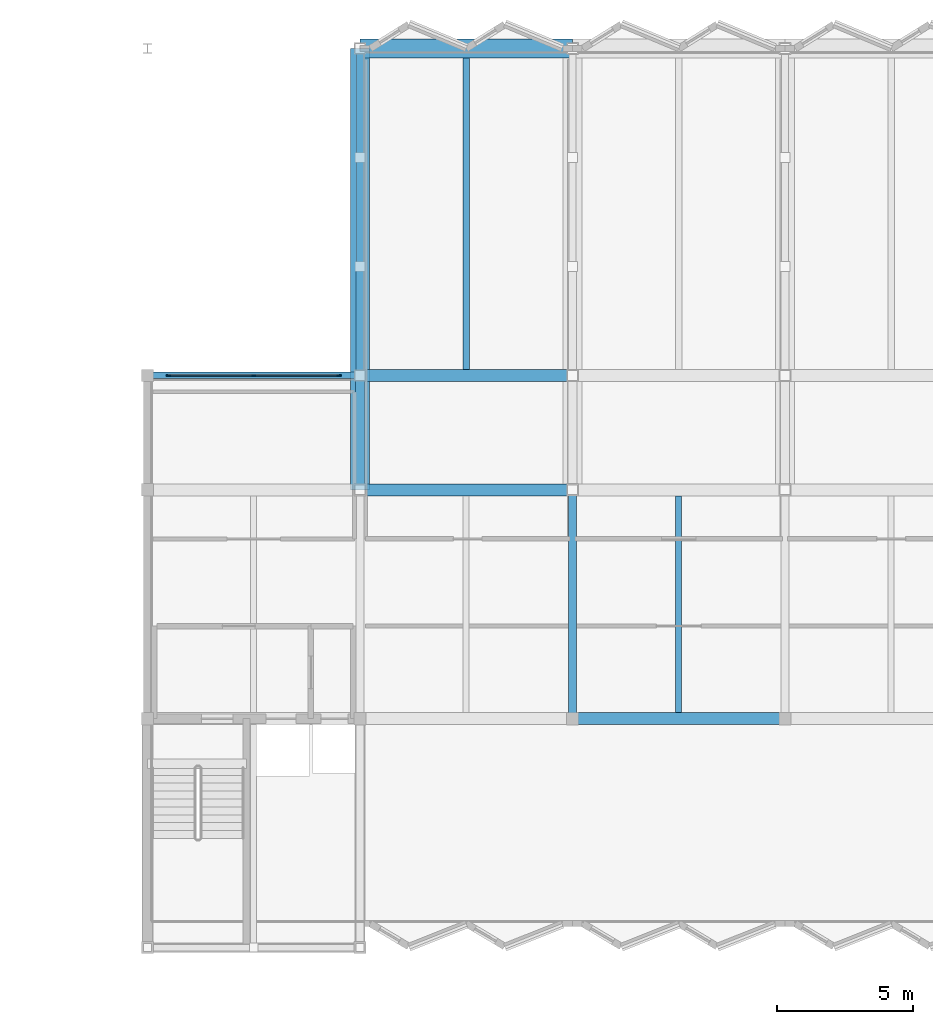
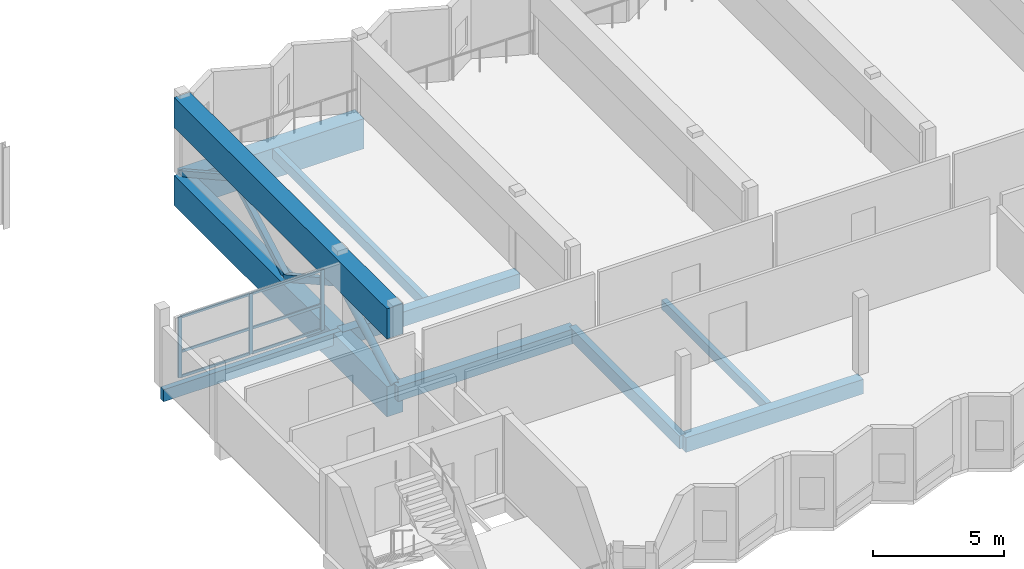
# One storey, part 18 of 34: 13 members, 10 beams, 1 element without a shape of its own.
"""IFC4 building model written with IfcOpenShell, lengths in metres."""

from ifc_helpers import new_model, si_unit, direction, frame, origin, origin_2d, place, context, subcontext, project, spatial, rectangle, hollow_rectangle, hollow_circle, extrude, material, material_profile, profile_set, type_object, element, aggregate, save


model = new_model("IFC4")

# Units and contexts
model_context = context("Model", 3, precision=1e-05, world=origin(), true_north=direction((0.0, 1.0)))
body_context = subcontext(model_context, "Body", "Model", "MODEL_VIEW")
ifc_project = project(units=[si_unit("LENGTHUNIT", "METRE"), si_unit("AREAUNIT", "SQUARE_METRE"), si_unit("VOLUMEUNIT", "CUBIC_METRE"), si_unit("PLANEANGLEUNIT", "RADIAN"), si_unit("MASSUNIT", "GRAM", prefix="KILO")], contexts=[model_context])

# Site, building, storey
site_placement = place(None, origin())
site = spatial("IfcSite", under=ifc_project, at=site_placement, CompositionType="ELEMENT")
building_placement = place(site_placement, origin())
building = spatial("IfcBuilding", under=site, at=building_placement, Name="Vharandega Faculty of Natural Sciences", CompositionType="ELEMENT")
storey_placement = place(building_placement, frame((0.0, 0.0, 21.60009765625)))
storey = spatial("IfcBuildingStorey", under=building, at=storey_placement, Name="L05", CompositionType="ELEMENT", Elevation=21.60009765625)

# Curtain wall, members
ifc_material_1 = material(Name="Aluminium and solar-control glass curtain wall", Category="aluminium")
curtain_wall_type = type_object("IfcCurtainWallType", Name="Unitised Curtain Wall System CW-27", PredefinedType="NOTDEFINED", material=ifc_material_1)
curtain_wall_placement = place(storey_placement, origin())
curtain_wall = element("IfcCurtainWall", 1, at=curtain_wall_placement, inside=storey, type_object=curtain_wall_type, Name="Curtain Wall CW-L05-026", PredefinedType="NOTDEFINED")
ifc_material_2 = material(Name="Thermally broken aluminium 6063-T6", Category="aluminium")
ifc_material_profile_1 = material_profile(ifc_material_2, rectangle(XDim=0.06005859375, YDim=0.159912109375, at=origin_2d()), Name="ALU 60x160")
ifc_profile_set_1 = profile_set([ifc_material_profile_1], Name="Thermally broken aluminium 6063-T6")
member_type_1 = type_object("IfcMemberType", Name="CW Mullion 60x160", PredefinedType="MULLION", material=ifc_profile_set_1)
member_1_placement = place(storey_placement, frame((115.570068359375, 85.0, 0.0), z_axis=(0.0, 0.0, 1.0), x_axis=(0.0, 1.0, 0.0)))
member_1 = element("IfcMember", 2, at=member_1_placement, type_object=member_type_1, Name="CW-27 mullion 1", PredefinedType="MULLION", context=body_context, shape_type="SweptSolid", body=[
    extrude(rectangle(XDim=0.06005859375, YDim=0.159912109375, at=origin_2d()), origin(), (0.0, 0.0, 1.0), 2.81982421875),
])
member_2_placement = place(storey_placement, frame((118.699951171875, 85.0, 0.0), z_axis=(0.0, 0.0, 1.0), x_axis=(0.0, 1.0, 0.0)))
member_2 = element("IfcMember", 3, at=member_2_placement, type_object=member_type_1, Name="CW-27 mullion 2", PredefinedType="MULLION", context=body_context, shape_type="SweptSolid", body=[
    extrude(rectangle(XDim=0.06005859375, YDim=0.159912109375, at=origin_2d()), origin(), (0.0, 0.0, 1.0), 2.81982421875),
])
member_3_placement = place(storey_placement, frame((121.830078125, 85.0, 0.0), z_axis=(0.0, 0.0, 1.0), x_axis=(0.0, 1.0, 0.0)))
member_3 = element("IfcMember", 4, at=member_3_placement, type_object=member_type_1, Name="CW-27 mullion 3", PredefinedType="MULLION", context=body_context, shape_type="SweptSolid", body=[
    extrude(rectangle(XDim=0.06005859375, YDim=0.159912109375, at=origin_2d()), origin(), (0.0, 0.0, 1.0), 2.81982421875),
])
ifc_material_3 = material(Name="Thermally broken aluminium 6063-T6", Category="aluminium")
ifc_material_profile_2 = material_profile(ifc_material_3, rectangle(XDim=0.06005859375, YDim=0.1201171875, at=origin_2d()), Name="ALU 60x120")
ifc_profile_set_2 = profile_set([ifc_material_profile_2], Name="Thermally broken aluminium 6063-T6")
member_type_2 = type_object("IfcMemberType", Name="CW Transom 60x120", PredefinedType="USERDEFINED", material=ifc_profile_set_2)
member_4_placement = place(storey_placement, frame((115.60009765625, 85.0, 0.02978515625), z_axis=(1.0, 0.0, 0.0), x_axis=(0.0, 1.0, 0.0)))
member_4 = element("IfcMember", 5, at=member_4_placement, type_object=member_type_2, Name="CW-27 transom 1.1", ObjectType="TRANSOM", PredefinedType="USERDEFINED", context=body_context, shape_type="SweptSolid", body=[
    extrude(rectangle(XDim=0.06005859375, YDim=0.1201171875, at=origin_2d()), origin(), (0.0, 0.0, 1.0), 3.06982421875),
])
member_5_placement = place(storey_placement, frame((115.60009765625, 85.0, 1.184326171875), z_axis=(1.0, 0.0, 0.0), x_axis=(0.0, 1.0, 0.0)))
member_5 = element("IfcMember", 6, at=member_5_placement, type_object=member_type_2, Name="CW-27 transom 1.2", ObjectType="TRANSOM", PredefinedType="USERDEFINED", context=body_context, shape_type="SweptSolid", body=[
    extrude(rectangle(XDim=0.06005859375, YDim=0.1201171875, at=origin_2d()), origin(), (0.0, 0.0, 1.0), 3.06982421875),
])
member_6_placement = place(storey_placement, frame((115.60009765625, 85.0, 2.789794921875), z_axis=(1.0, 0.0, 0.0), x_axis=(0.0, 1.0, 0.0)))
member_6 = element("IfcMember", 7, at=member_6_placement, type_object=member_type_2, Name="CW-27 transom 1.3", ObjectType="TRANSOM", PredefinedType="USERDEFINED", context=body_context, shape_type="SweptSolid", body=[
    extrude(rectangle(XDim=0.06005859375, YDim=0.1201171875, at=origin_2d()), origin(), (0.0, 0.0, 1.0), 3.06982421875),
])
member_7_placement = place(storey_placement, frame((118.72998046875, 85.0, 0.02978515625), z_axis=(1.0, 0.0, 0.0), x_axis=(0.0, 1.0, 0.0)))
member_7 = element("IfcMember", 8, at=member_7_placement, type_object=member_type_2, Name="CW-27 transom 2.1", ObjectType="TRANSOM", PredefinedType="USERDEFINED", context=body_context, shape_type="SweptSolid", body=[
    extrude(rectangle(XDim=0.06005859375, YDim=0.1201171875, at=origin_2d()), origin(), (0.0, 0.0, 1.0), 3.070068359375),
])
member_8_placement = place(storey_placement, frame((118.72998046875, 85.0, 1.184326171875), z_axis=(1.0, 0.0, 0.0), x_axis=(0.0, 1.0, 0.0)))
member_8 = element("IfcMember", 9, at=member_8_placement, type_object=member_type_2, Name="CW-27 transom 2.2", ObjectType="TRANSOM", PredefinedType="USERDEFINED", context=body_context, shape_type="SweptSolid", body=[
    extrude(rectangle(XDim=0.06005859375, YDim=0.1201171875, at=origin_2d()), origin(), (0.0, 0.0, 1.0), 3.070068359375),
])
member_9_placement = place(storey_placement, frame((118.72998046875, 85.0, 2.789794921875), z_axis=(1.0, 0.0, 0.0), x_axis=(0.0, 1.0, 0.0)))
member_9 = element("IfcMember", 10, at=member_9_placement, type_object=member_type_2, Name="CW-27 transom 2.3", ObjectType="TRANSOM", PredefinedType="USERDEFINED", context=body_context, shape_type="SweptSolid", body=[
    extrude(rectangle(XDim=0.06005859375, YDim=0.1201171875, at=origin_2d()), origin(), (0.0, 0.0, 1.0), 3.070068359375),
])
aggregate(curtain_wall, [member_1, member_2, member_3, member_4, member_5, member_6, member_7, member_8, member_9])

# Beam
ifc_material_4 = material(Name="Glulam GL32h", Category="wood")
ifc_material_profile_3 = material_profile(ifc_material_4, rectangle(XDim=0.699951171875, YDim=1.39990234375, at=origin_2d()), Name="GL32h 700x1400")
ifc_profile_set_3 = profile_set([ifc_material_profile_3], Name="Glulam GL32h")
beam_type_1 = type_object("IfcBeamType", Name="Cantilever Truss Bottom Chord 700x1400", PredefinedType="BEAM", material=ifc_profile_set_3)
beam_1_placement = place(storey_placement, frame((122.60009765625, 80.800048828125, -0.940185546875), z_axis=(0.0, 1.0, 0.0), x_axis=(-1.0, 0.0, 0.0)))
element("IfcBeam", 11, at=beam_1_placement, inside=storey, type_object=beam_type_1, Name="Transfer Cantilever Bottom Chord Grid 16", PredefinedType="BEAM", context=body_context, shape_type="SweptSolid", body=[
    extrude(rectangle(XDim=0.699951171875, YDim=1.39990234375, at=origin_2d()), origin(), (0.0, 0.0, 1.0), 16.199951171875),
])

# Member
ifc_material_5 = material(Name="Steel S355", Category="steel")
ifc_material_profile_4 = material_profile(ifc_material_5, hollow_circle(Radius=0.161865234375, WallThickness=0.01611328125, at=origin_2d()), Name="CHS 323.9x16")
ifc_profile_set_4 = profile_set([ifc_material_profile_4], Name="Steel S355")
member_type_3 = type_object("IfcMemberType", Name="Cantilever Truss Diagonal CHS 324", PredefinedType="BRACE", material=ifc_profile_set_4)
member_10_placement = place(storey_placement, frame((122.60009765625, 80.800048828125, -0.239990234375), z_axis=(0.0, 0.884095243613, 0.467306751739), x_axis=(-1.0, 0.0, 0.0)))
element("IfcMember", 12, at=member_10_placement, inside=storey, type_object=member_type_3, Name="Cantilever Truss Diagonal 16-1", PredefinedType="BRACE", context=body_context, shape_type="SweptSolid", body=[
    extrude(hollow_circle(Radius=0.161865234375, WallThickness=0.01611328125, at=origin_2d()), origin(), (0.0, 0.0, 1.0), 4.75048828125),
])

# Beam
ifc_material_6 = material(Name="Glulam GL32h", Category="wood")
ifc_material_profile_5 = material_profile(ifc_material_6, rectangle(XDim=0.699951171875, YDim=1.39990234375, at=origin_2d()), Name="GL32h 700x1400")
ifc_profile_set_5 = profile_set([ifc_material_profile_5], Name="Glulam GL32h")
beam_type_2 = type_object("IfcBeamType", Name="Cantilever Truss Top Chord 700x1400", PredefinedType="BEAM", material=ifc_profile_set_5)
beam_2_placement = place(storey_placement, frame((122.60009765625, 80.800048828125, 2.679931640625), z_axis=(0.0, 1.0, 0.0), x_axis=(-1.0, 0.0, 0.0)))
element("IfcBeam", 13, at=beam_2_placement, inside=storey, type_object=beam_type_2, Name="Transfer Cantilever Top Chord Grid 16", PredefinedType="BEAM", context=body_context, shape_type="SweptSolid", body=[
    extrude(rectangle(XDim=0.699951171875, YDim=1.39990234375, at=origin_2d()), origin(), (0.0, 0.0, 1.0), 16.199951171875),
])

# Members
ifc_material_7 = material(Name="Steel S355", Category="steel")
ifc_material_profile_6 = material_profile(ifc_material_7, hollow_rectangle(XDim=0.25, YDim=0.25, WallThickness=0.012451171875, at=origin_2d()), Name="SHS 250x250x12.5")
ifc_profile_set_6 = profile_set([ifc_material_profile_6], Name="Steel S355")
member_type_4 = type_object("IfcMemberType", Name="Cantilever Truss Web SHS 250", PredefinedType="BRACE", material=ifc_profile_set_6)
for number, where, z_axis, x_axis, name in (
    (14, (122.60009765625, 89.0, -0.239990234375), (0.0, 0.874366132347, 0.485266799404), (-1.0, 0.0, 0.0), "Cantilever Truss Diagonal 16-3"),
    (15, (122.60009765625, 93.0, 1.97998046875), (0.0, 0.874366132347, -0.485266799404), (-1.0, 0.0, 0.0), "Cantilever Truss Diagonal 16-4"),
):
    element("IfcMember", number, at=place(storey_placement, frame(where, z_axis=z_axis, x_axis=x_axis)), inside=storey, type_object=member_type_4, Name=name, PredefinedType="BRACE", context=body_context, shape_type="SweptSolid", body=[
        extrude(hollow_rectangle(XDim=0.25, YDim=0.25, WallThickness=0.012451171875, at=origin_2d()), origin(), (0.0, 0.0, 1.0), 4.57470703125),
    ])
ifc_material_8 = material(Name="Steel S355", Category="steel")
ifc_material_profile_7 = material_profile(ifc_material_8, hollow_rectangle(XDim=0.300048828125, YDim=0.300048828125, WallThickness=0.01611328125, at=origin_2d()), Name="SHS 300x300x16")
ifc_profile_set_7 = profile_set([ifc_material_profile_7], Name="Steel S355")
member_type_5 = type_object("IfcMemberType", Name="Cantilever Truss Web SHS 300", PredefinedType="BRACE", material=ifc_profile_set_7)
member_11_placement = place(storey_placement, frame((122.60009765625, 85.0, 1.97998046875), z_axis=(0.0, 0.874366132347, -0.485266799404), x_axis=(-1.0, 0.0, 0.0)))
element("IfcMember", 16, at=member_11_placement, inside=storey, type_object=member_type_5, Name="Cantilever Truss Diagonal 16-2", PredefinedType="BRACE", context=body_context, shape_type="SweptSolid", body=[
    extrude(hollow_rectangle(XDim=0.300048828125, YDim=0.300048828125, WallThickness=0.01611328125, at=origin_2d()), origin(), (0.0, 0.0, 1.0), 4.57470703125),
])

# Beams
ifc_material_9 = material(Name="Glulam GL28h", Category="wood")
ifc_material_profile_8 = material_profile(ifc_material_9, rectangle(XDim=0.300048828125, YDim=0.60009765625, at=origin_2d()), Name="GL28h 300x600")
ifc_profile_set_8 = profile_set([ifc_material_profile_8], Name="Glulam GL28h")
beam_type_3 = type_object("IfcBeamType", Name="Glulam Floor Beam 300x600", PredefinedType="BEAM", material=ifc_profile_set_8)
beam_3_placement = place(storey_placement, frame((130.39990234375, 72.39990234375, -0.5400390625), z_axis=(0.0, 1.0, 0.0), x_axis=(-1.0, 0.0, 0.0)))
element("IfcBeam", 17, at=beam_3_placement, inside=storey, type_object=beam_type_3, Name="Beam L05 17/K-L", PredefinedType="BEAM", context=body_context, shape_type="SweptSolid", body=[
    extrude(rectangle(XDim=0.300048828125, YDim=0.60009765625, at=origin_2d()), origin(), (0.0, 0.0, 1.0), 8.400146484375),
])
ifc_material_10 = material(Name="Glulam GL32h", Category="wood")
ifc_material_profile_9 = material_profile(ifc_material_10, rectangle(XDim=0.43994140625, YDim=0.679931640625, at=origin_2d()), Name="GL32h 440x680")
ifc_profile_set_9 = profile_set([ifc_material_profile_9], Name="Glulam GL32h")
beam_type_4 = type_object("IfcBeamType", Name="Glulam Girder 440x680", PredefinedType="BEAM", material=ifc_profile_set_9)
beam_4_placement = place(storey_placement, frame((130.39990234375, 72.39990234375, -0.580078125), z_axis=(1.0, 0.0, 0.0), x_axis=(0.0, 1.0, 0.0)))
element("IfcBeam", 18, at=beam_4_placement, inside=storey, type_object=beam_type_4, Name="Beam L05 K/17-18", PredefinedType="BEAM", context=body_context, shape_type="SweptSolid", body=[
    extrude(rectangle(XDim=0.43994140625, YDim=0.679931640625, at=origin_2d()), origin(), (0.0, 0.0, 1.0), 7.800048828125),
])
for number, where, z_axis, x_axis, name in (
    (19, (122.60009765625, 80.800048828125, -0.580078125), (1.0, 0.0, 0.0), (0.0, 1.0, 0.0), "Beam L05 L/16-17"),
    (20, (122.60009765625, 85.0, -0.580078125), (1.0, 0.0, 0.0), (0.0, 1.0, 0.0), "Beam L05 M/16-17"),
):
    element("IfcBeam", number, at=place(storey_placement, frame(where, z_axis=z_axis, x_axis=x_axis)), inside=storey, type_object=beam_type_4, Name=name, PredefinedType="BEAM", context=body_context, shape_type="SweptSolid", body=[
        extrude(rectangle(XDim=0.43994140625, YDim=0.679931640625, at=origin_2d()), origin(), (0.0, 0.0, 1.0), 7.7998046875),
    ])
ifc_material_11 = material(Name="Glulam GL28h", Category="wood")
ifc_material_profile_10 = material_profile(ifc_material_11, rectangle(XDim=0.219970703125, YDim=0.43994140625, at=origin_2d()), Name="GL28h 220x440")
ifc_profile_set_10 = profile_set([ifc_material_profile_10], Name="Glulam GL28h")
beam_type_5 = type_object("IfcBeamType", Name="Glulam Secondary Joist 220x440", PredefinedType="JOIST", material=ifc_profile_set_10)
beam_5_placement = place(storey_placement, frame((134.300048828125, 72.6201171875, -0.460205078125), z_axis=(0.0, 1.0, 0.0), x_axis=(-1.0, 0.0, 0.0)))
element("IfcBeam", 21, at=beam_5_placement, inside=storey, type_object=beam_type_5, Name="Secondary Joist L05 17-18/K-L", PredefinedType="JOIST", context=body_context, shape_type="SweptSolid", body=[
    extrude(rectangle(XDim=0.219970703125, YDim=0.43994140625, at=origin_2d()), origin(), (0.0, 0.0, 1.0), 7.9599609375),
])
ifc_material_12 = material(Name="Glulam GL28h", Category="wood")
ifc_material_profile_11 = material_profile(ifc_material_12, rectangle(XDim=0.239990234375, YDim=0.47998046875, at=origin_2d()), Name="GL28h 240x480")
ifc_profile_set_11 = profile_set([ifc_material_profile_11], Name="Glulam GL28h")
beam_type_6 = type_object("IfcBeamType", Name="Glulam Secondary Joist 240x480", PredefinedType="JOIST", material=ifc_profile_set_11)
beam_6_placement = place(storey_placement, frame((126.5, 85.219970703125, -0.47998046875), z_axis=(0.0, 1.0, 0.0), x_axis=(-1.0, 0.0, 0.0)))
element("IfcBeam", 22, at=beam_6_placement, inside=storey, type_object=beam_type_6, Name="Secondary Joist L05 16-17/M-N", PredefinedType="JOIST", context=body_context, shape_type="SweptSolid", body=[
    extrude(rectangle(XDim=0.239990234375, YDim=0.47998046875, at=origin_2d()), origin(), (0.0, 0.0, 1.0), 11.429931640625),
])
ifc_material_13 = material(Name="Glulam GL28h", Category="wood")
ifc_material_profile_12 = material_profile(ifc_material_13, rectangle(XDim=0.239990234375, YDim=0.56005859375, at=origin_2d()), Name="GL28h 240x560")
ifc_profile_set_12 = profile_set([ifc_material_profile_12], Name="Glulam GL28h")
beam_type_7 = type_object("IfcBeamType", Name="Glulam Spandrel Edge Beam 240x560", PredefinedType="SPANDREL", material=ifc_profile_set_12)
beam_7_placement = place(storey_placement, frame((114.800048828125, 85.0, -0.52001953125), z_axis=(1.0, 0.0, 0.0), x_axis=(0.0, 1.0, 0.0)))
element("IfcBeam", 23, at=beam_7_placement, inside=storey, type_object=beam_type_7, Name="Beam L05 M/15-16", PredefinedType="SPANDREL", context=body_context, shape_type="SweptSolid", body=[
    extrude(rectangle(XDim=0.239990234375, YDim=0.56005859375, at=origin_2d()), origin(), (0.0, 0.0, 1.0), 7.800048828125),
])
ifc_material_14 = material(Name="Glulam GL32h", Category="wood")
ifc_material_profile_13 = material_profile(ifc_material_14, rectangle(XDim=0.699951171875, YDim=1.39990234375, at=origin_2d()), Name="GL32h 700x1400")
ifc_profile_set_13 = profile_set([ifc_material_profile_13], Name="Glulam GL32h")
beam_type_8 = type_object("IfcBeamType", Name="Transfer Girder Cantilever Tip 700x1400", PredefinedType="BEAM", material=ifc_profile_set_13)
beam_8_placement = place(storey_placement, frame((122.60009765625, 97.0, -0.940185546875), z_axis=(1.0, 0.0, 0.0), x_axis=(0.0, 1.0, 0.0)))
element("IfcBeam", 24, at=beam_8_placement, inside=storey, type_object=beam_type_8, Name="Transfer Girder Cantilever Tip 16-17", PredefinedType="BEAM", context=body_context, shape_type="SweptSolid", body=[
    extrude(rectangle(XDim=0.699951171875, YDim=1.39990234375, at=origin_2d()), origin(), (0.0, 0.0, 1.0), 7.7998046875),
])

save(model, "model.ifc")
